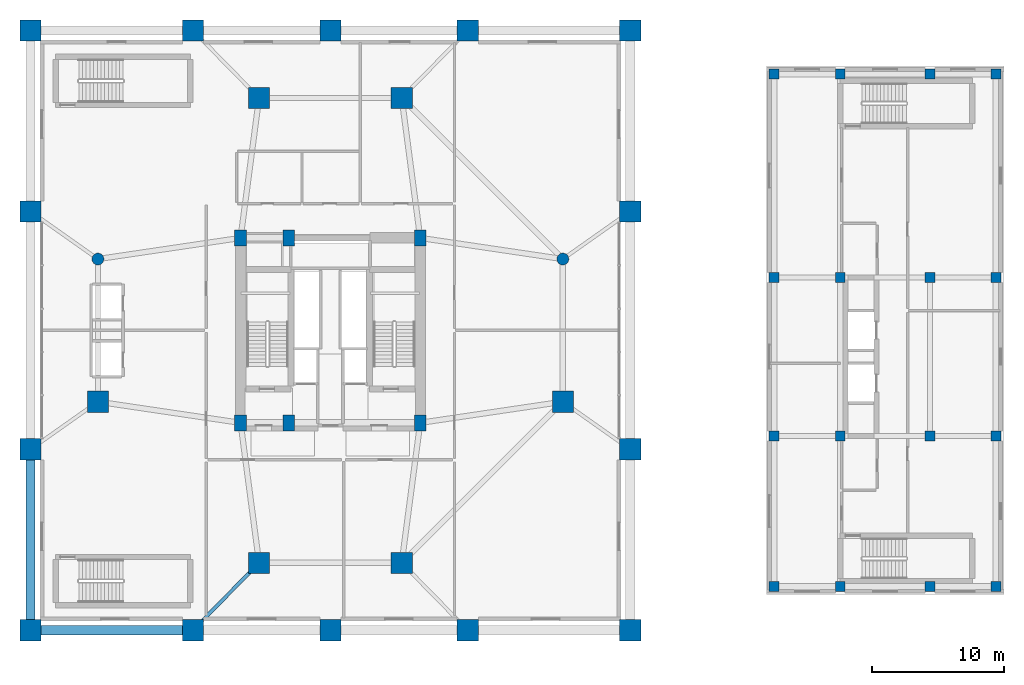
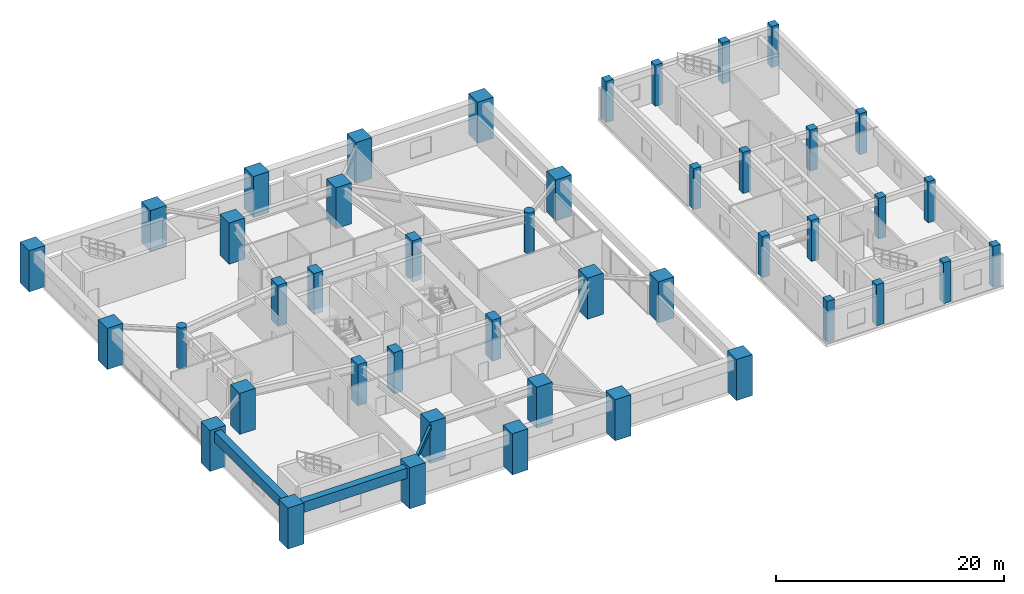
# One storey, part 1 of 22: 44 columns, 3 beams.
"""IFC4 building model written with IfcOpenShell, lengths in metres."""

from ifc_helpers import new_model, si_unit, direction, frame, origin, origin_2d, place, context, subcontext, project, spatial, rectangle, circle, i_section, extrude, material, material_profile, profile_set, type_object, element, save


model = new_model("IFC4")

# Units and contexts
model_context = context("Model", 3, precision=1e-05, world=origin(), true_north=direction((0.0, 1.0)))
body_context = subcontext(model_context, "Body", "Model", "MODEL_VIEW")
ifc_project = project(units=[si_unit("LENGTHUNIT", "METRE"), si_unit("AREAUNIT", "SQUARE_METRE"), si_unit("VOLUMEUNIT", "CUBIC_METRE"), si_unit("PLANEANGLEUNIT", "RADIAN"), si_unit("MASSUNIT", "GRAM", prefix="KILO")], contexts=[model_context])

# Site, building, storey
site_placement = place(None, origin())
site = spatial("IfcSite", under=ifc_project, at=site_placement, CompositionType="ELEMENT")
building_placement = place(site_placement, origin())
building = spatial("IfcBuilding", under=site, at=building_placement, Name="Veraguas Prism Commons", CompositionType="ELEMENT")
storey_placement = place(building_placement, frame((0.0, 0.0, 5.199951171875)))
storey = spatial("IfcBuildingStorey", under=building, at=storey_placement, Name="L01", CompositionType="ELEMENT", Elevation=5.199951171875)

# Columns
ifc_material_1 = material(Name="Concrete C50/60", Category="concrete")
ifc_material_profile_1 = material_profile(ifc_material_1, rectangle(XDim=0.75, YDim=0.75, at=origin_2d()), Name="RC750X750")
ifc_profile_set_1 = profile_set([ifc_material_profile_1], Name="Concrete C50/60")
column_type_1 = type_object("IfcColumnType", Name="Column Clinic RC 750x750", PredefinedType="COLUMN", material=ifc_profile_set_1)
for number, where, z_axis, x_axis, name in (
    (1, (57.60009765625, 4.60009765625, 0.0), (0.0, 0.0, 1.0), (1.0, 0.0, 0.0), "Health Centre Column L01-HC01"),
    (2, (57.60009765625, 16.0, 0.0), (0.0, 0.0, 1.0), (1.0, 0.0, 0.0), "Health Centre Column L01-HC02"),
    (3, (57.60009765625, 28.0, 0.0), (0.0, 0.0, 1.0), (1.0, 0.0, 0.0), "Health Centre Column L01-HC03"),
    (4, (57.60009765625, 43.39990234375, 0.0), (0.0, 0.0, 1.0), (1.0, 0.0, 0.0), "Health Centre Column L01-HC04"),
    (5, (62.60009765625, 4.60009765625, 0.0), (0.0, 0.0, 1.0), (1.0, 0.0, 0.0), "Health Centre Column L01-HC05"),
    (6, (62.60009765625, 16.0, 0.0), (0.0, 0.0, 1.0), (1.0, 0.0, 0.0), "Health Centre Column L01-HC06"),
    (7, (62.60009765625, 28.0, 0.0), (0.0, 0.0, 1.0), (1.0, 0.0, 0.0), "Health Centre Column L01-HC07"),
    (8, (62.60009765625, 43.39990234375, 0.0), (0.0, 0.0, 1.0), (1.0, 0.0, 0.0), "Health Centre Column L01-HC08"),
    (9, (69.39990234375, 4.60009765625, 0.0), (0.0, 0.0, 1.0), (1.0, 0.0, 0.0), "Health Centre Column L01-HC09"),
    (10, (69.39990234375, 16.0, 0.0), (0.0, 0.0, 1.0), (1.0, 0.0, 0.0), "Health Centre Column L01-HC10"),
    (11, (69.39990234375, 28.0, 0.0), (0.0, 0.0, 1.0), (1.0, 0.0, 0.0), "Health Centre Column L01-HC11"),
    (12, (69.39990234375, 43.39990234375, 0.0), (0.0, 0.0, 1.0), (1.0, 0.0, 0.0), "Health Centre Column L01-HC12"),
    (13, (74.39990234375, 4.60009765625, 0.0), (0.0, 0.0, 1.0), (1.0, 0.0, 0.0), "Health Centre Column L01-HC13"),
    (14, (74.39990234375, 16.0, 0.0), (0.0, 0.0, 1.0), (1.0, 0.0, 0.0), "Health Centre Column L01-HC14"),
    (15, (74.39990234375, 28.0, 0.0), (0.0, 0.0, 1.0), (1.0, 0.0, 0.0), "Health Centre Column L01-HC15"),
    (16, (74.39990234375, 43.39990234375, 0.0), (0.0, 0.0, 1.0), (1.0, 0.0, 0.0), "Health Centre Column L01-HC16"),
):
    element("IfcColumn", number, at=place(storey_placement, frame(where, z_axis=z_axis, x_axis=x_axis)), inside=storey, type_object=column_type_1, Name=name, PredefinedType="COLUMN", context=body_context, shape_type="SweptSolid", body=[
        extrude(rectangle(XDim=0.75, YDim=0.75, at=origin_2d()), origin(), (0.0, 0.0, 1.0), 4.400146484375),
    ])
ifc_material_2 = material(Name="Concrete C60/75", Category="concrete")
ifc_material_profile_2 = material_profile(ifc_material_2, circle(Radius=0.449951171875, at=origin_2d()), Name="RC900DIA")
ifc_profile_set_2 = profile_set([ifc_material_profile_2], Name="Concrete C60/75")
column_type_2 = type_object("IfcColumnType", Name="Column Concourse RC D900", PredefinedType="COLUMN", material=ifc_profile_set_2)
for number, where, z_axis, x_axis, name in (
    (17, (41.60009765625, 29.39990234375, 0.0), (0.0, 0.0, 1.0), (1.0, 0.0, 0.0), "Tower Mega Column L01-TM02"),
    (18, (6.39990234375, 29.39990234375, 0.0), (0.0, 0.0, 1.0), (1.0, 0.0, 0.0), "Tower Mega Column L01-TM05"),
):
    element("IfcColumn", number, at=place(storey_placement, frame(where, z_axis=z_axis, x_axis=x_axis)), inside=storey, type_object=column_type_2, Name=name, PredefinedType="COLUMN", context=body_context, shape_type="SweptSolid", body=[
        extrude(circle(Radius=0.449951171875, at=origin_2d()), origin(), (0.0, 0.0, 1.0), 4.400146484375),
    ])
ifc_material_profile_3 = material_profile(ifc_material_2, rectangle(XDim=1.60009765625, YDim=1.60009765625, at=origin_2d()), Name="RC1600X1600")
ifc_profile_set_3 = profile_set([ifc_material_profile_3], Name="Concrete C60/75")
column_type_3 = type_object("IfcColumnType", Name="Column Mega RC 1600x1600", PredefinedType="COLUMN", material=ifc_profile_set_3)
for number, where, z_axis, x_axis, name in (
    (19, (1.300048828125, 1.300048828125, 0.0), (0.0, 0.0, 1.0), (1.0, 0.0, 0.0), "Podium Mega Column L01-PD01"),
    (20, (13.60009765625, 1.300048828125, 0.0), (0.0, 0.0, 1.0), (1.0, 0.0, 0.0), "Podium Mega Column L01-PD02"),
    (21, (24.0, 1.300048828125, 0.0), (0.0, 0.0, 1.0), (1.0, 0.0, 0.0), "Podium Mega Column L01-PD03"),
    (22, (34.39990234375, 1.300048828125, 0.0), (0.0, 0.0, 1.0), (1.0, 0.0, 0.0), "Podium Mega Column L01-PD04"),
    (23, (46.699951171875, 1.300048828125, 0.0), (0.0, 0.0, 1.0), (1.0, 0.0, 0.0), "Podium Mega Column L01-PD05"),
    (24, (1.300048828125, 15.0, 0.0), (0.0, 0.0, 1.0), (1.0, 0.0, 0.0), "Podium Mega Column L01-PD06"),
    (25, (46.699951171875, 15.0, 0.0), (0.0, 0.0, 1.0), (1.0, 0.0, 0.0), "Podium Mega Column L01-PD07"),
    (26, (1.300048828125, 33.0, 0.0), (0.0, 0.0, 1.0), (1.0, 0.0, 0.0), "Podium Mega Column L01-PD08"),
    (27, (46.699951171875, 33.0, 0.0), (0.0, 0.0, 1.0), (1.0, 0.0, 0.0), "Podium Mega Column L01-PD09"),
    (28, (1.300048828125, 46.699951171875, 0.0), (0.0, 0.0, 1.0), (1.0, 0.0, 0.0), "Podium Mega Column L01-PD10"),
    (29, (13.60009765625, 46.699951171875, 0.0), (0.0, 0.0, 1.0), (1.0, 0.0, 0.0), "Podium Mega Column L01-PD11"),
    (30, (24.0, 46.699951171875, 0.0), (0.0, 0.0, 1.0), (1.0, 0.0, 0.0), "Podium Mega Column L01-PD12"),
    (31, (34.39990234375, 46.699951171875, 0.0), (0.0, 0.0, 1.0), (1.0, 0.0, 0.0), "Podium Mega Column L01-PD13"),
    (32, (46.699951171875, 46.699951171875, 0.0), (0.0, 0.0, 1.0), (1.0, 0.0, 0.0), "Podium Mega Column L01-PD14"),
    (33, (41.60009765625, 18.60009765625, 0.0), (0.0, 0.0, 1.0), (1.0, 0.0, 0.0), "Tower Mega Column L01-TM01"),
    (34, (29.39990234375, 41.60009765625, 0.0), (0.0, 0.0, 1.0), (1.0, 0.0, 0.0), "Tower Mega Column L01-TM03"),
    (35, (18.60009765625, 41.60009765625, 0.0), (0.0, 0.0, 1.0), (1.0, 0.0, 0.0), "Tower Mega Column L01-TM04"),
    (36, (6.39990234375, 18.60009765625, 0.0), (0.0, 0.0, 1.0), (1.0, 0.0, 0.0), "Tower Mega Column L01-TM06"),
    (37, (18.60009765625, 6.39990234375, 0.0), (0.0, 0.0, 1.0), (1.0, 0.0, 0.0), "Tower Mega Column L01-TM07"),
    (38, (29.39990234375, 6.39990234375, 0.0), (0.0, 0.0, 1.0), (1.0, 0.0, 0.0), "Tower Mega Column L01-TM08"),
):
    element("IfcColumn", number, at=place(storey_placement, frame(where, z_axis=z_axis, x_axis=x_axis)), inside=storey, type_object=column_type_3, Name=name, PredefinedType="COLUMN", context=body_context, shape_type="SweptSolid", body=[
        extrude(rectangle(XDim=1.60009765625, YDim=1.60009765625, at=origin_2d()), origin(), (0.0, 0.0, 1.0), 4.400146484375),
    ])
ifc_material_profile_4 = material_profile(ifc_material_2, rectangle(XDim=0.89990234375, YDim=1.199951171875, at=origin_2d()), Name="RC900X1200")
ifc_profile_set_4 = profile_set([ifc_material_profile_4], Name="Concrete C60/75")
column_type_4 = type_object("IfcColumnType", Name="Pilaster Core Lower RC 900x1200", PredefinedType="PILASTER", material=ifc_profile_set_4)
for number, where, z_axis, x_axis, name in (
    (39, (17.199951171875, 17.0, 0.0), (0.0, 0.0, 1.0), (1.0, 0.0, 0.0), "Core Pilaster Column L01-CR1"),
    (40, (20.85009765625, 17.0, 0.0), (0.0, 0.0, 1.0), (1.0, 0.0, 0.0), "Core Pilaster Column L01-CR2"),
    (41, (30.800048828125, 17.0, 0.0), (0.0, 0.0, 1.0), (1.0, 0.0, 0.0), "Core Pilaster Column L01-CR3"),
    (42, (17.199951171875, 31.0, 0.0), (0.0, 0.0, 1.0), (1.0, 0.0, 0.0), "Core Pilaster Column L01-CR4"),
    (43, (20.85009765625, 31.0, 0.0), (0.0, 0.0, 1.0), (1.0, 0.0, 0.0), "Core Pilaster Column L01-CR5"),
    (44, (30.800048828125, 31.0, 0.0), (0.0, 0.0, 1.0), (1.0, 0.0, 0.0), "Core Pilaster Column L01-CR6"),
):
    element("IfcColumn", number, at=place(storey_placement, frame(where, z_axis=z_axis, x_axis=x_axis)), inside=storey, type_object=column_type_4, Name=name, PredefinedType="PILASTER", context=body_context, shape_type="SweptSolid", body=[
        extrude(rectangle(XDim=0.89990234375, YDim=1.199951171875, at=origin_2d()), origin(), (0.0, 0.0, 1.0), 4.400146484375),
    ])

# Beams
ifc_material_3 = material(Name="Steel ASTM A992 Grade 50", Category="steel")
ifc_material_profile_5 = material_profile(ifc_material_3, i_section(OverallWidth=0.260986328125, OverallDepth=0.419921875, WebThickness=0.01171875, FlangeThickness=0.019287109375, at=origin_2d()), Name="W410X114")
ifc_profile_set_5 = profile_set([ifc_material_profile_5], Name="Steel ASTM A992 Grade 50")
beam_type_1 = type_object("IfcBeamType", Name="Lower Floor Joist W410x114", PredefinedType="JOIST", material=ifc_profile_set_5)
beam_1_placement = place(storey_placement, frame((18.60009765625, 6.39990234375, 3.89013671875), z_axis=(-0.700081663946, -0.71406278702, 0.0), x_axis=(0.71406278702, -0.700081663946, 0.0)))
element("IfcBeam", 45, at=beam_1_placement, inside=storey, type_object=beam_type_1, Name="Podium Tie Beam L01-TMT07", PredefinedType="JOIST", context=body_context, shape_type="SweptSolid", body=[
    extrude(i_section(OverallWidth=0.260986328125, OverallDepth=0.419921875, WebThickness=0.01171875, FlangeThickness=0.019287109375, at=origin_2d()), origin(), (0.0, 0.0, 1.0), 7.14208984375),
])
ifc_material_profile_6 = material_profile(ifc_material_1, rectangle(XDim=0.699951171875, YDim=1.10009765625, at=origin_2d()), Name="RC700X1100")
ifc_profile_set_6 = profile_set([ifc_material_profile_6], Name="Concrete C50/60")
beam_type_2 = type_object("IfcBeamType", Name="Podium Primary Girder RC 700x1100", PredefinedType="BEAM", material=ifc_profile_set_6)
beam_2_placement = place(storey_placement, frame((1.300048828125, 1.300048828125, 3.550048828125), z_axis=(1.0, 0.0, 0.0), x_axis=(0.0, 1.0, 0.0)))
element("IfcBeam", 46, at=beam_2_placement, inside=storey, type_object=beam_type_2, Name="Podium Perimeter Girder L01-PDR01", PredefinedType="BEAM", context=body_context, shape_type="SweptSolid", body=[
    extrude(rectangle(XDim=0.699951171875, YDim=1.10009765625, at=origin_2d()), origin(), (0.0, 0.0, 1.0), 12.300048828125),
])
beam_3_placement = place(storey_placement, frame((1.300048828125, 15.0, 3.550048828125), z_axis=(0.0, -1.0, 0.0), x_axis=(1.0, 0.0, 0.0)))
element("IfcBeam", 47, at=beam_3_placement, inside=storey, type_object=beam_type_2, Name="Podium Perimeter Girder L01-PDR14", PredefinedType="BEAM", context=body_context, shape_type="SweptSolid", body=[
    extrude(rectangle(XDim=0.699951171875, YDim=1.10009765625, at=origin_2d()), origin(), (0.0, 0.0, 1.0), 13.699951171875),
])

save(model, "model.ifc")
